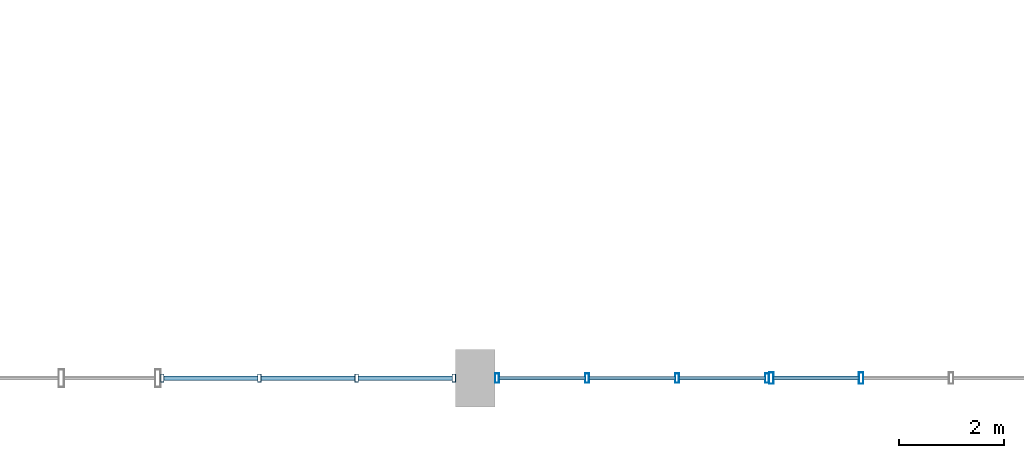
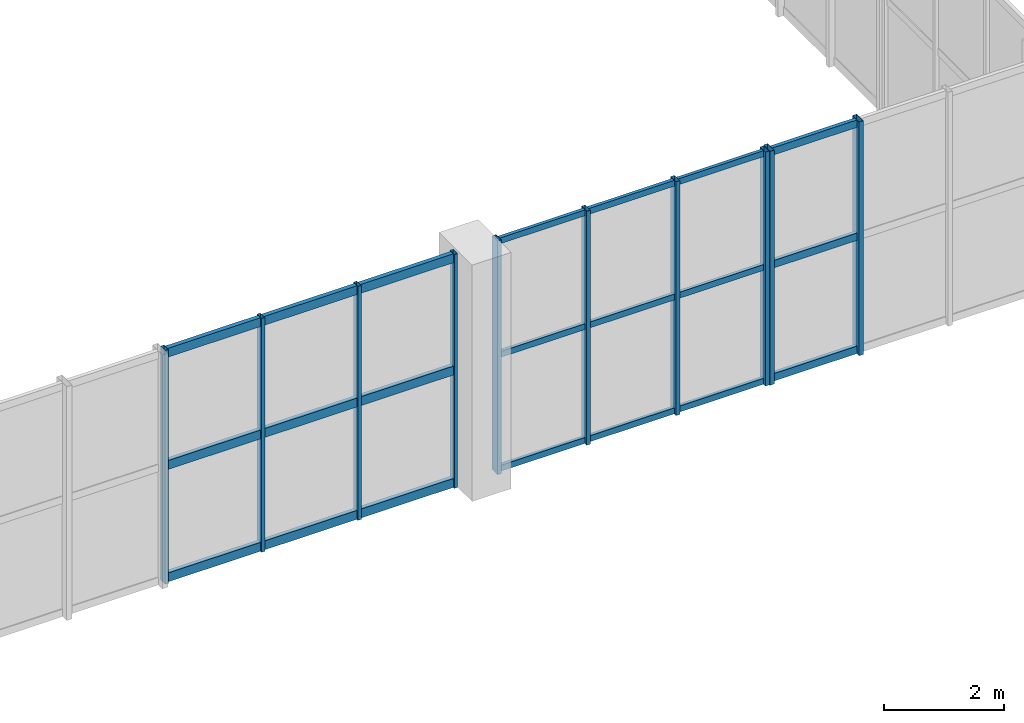
# One storey, part 52 of 106: 31 members, 3 elements without a shape of their own.
"""IFC4 building model written with IfcOpenShell, lengths in metres."""

from ifc_helpers import new_model, si_unit, direction, frame, origin, origin_2d, place, context, subcontext, project, spatial, hollow_rectangle, extrude, material, layer, layer_set, material_profile, profile_set, type_object, element, aggregate, save


model = new_model("IFC4")

# Units and contexts
model_context = context("Model", 3, precision=1e-05, world=origin(), true_north=direction((0.0, 1.0)))
body_context = subcontext(model_context, "Body", "Model", "MODEL_VIEW")
ifc_project = project(units=[si_unit("LENGTHUNIT", "METRE"), si_unit("AREAUNIT", "SQUARE_METRE"), si_unit("VOLUMEUNIT", "CUBIC_METRE"), si_unit("PLANEANGLEUNIT", "RADIAN"), si_unit("MASSUNIT", "GRAM", prefix="KILO"), si_unit("POWERUNIT", "WATT"), si_unit("THERMODYNAMICTEMPERATUREUNIT", "KELVIN")], contexts=[model_context])

# Site, building, storey
site_placement = place(None, origin())
site = spatial("IfcSite", under=ifc_project, at=site_placement, CompositionType="ELEMENT")
building_placement = place(site_placement, origin())
building = spatial("IfcBuilding", under=site, at=building_placement, Name="Kelmbourne Parkland Aquatics Centre", CompositionType="ELEMENT")
storey_placement = place(building_placement, frame((0.0, 0.0, 5.39990234375)))
storey = spatial("IfcBuildingStorey", under=building, at=storey_placement, Name="L01", CompositionType="ELEMENT", Elevation=5.39990234375)

# Curtain wall, members
ifc_material = material(Name="Thermally broken anodised aluminium framing", Category="aluminium")
ifc_layer_1 = layer(ifc_material, 0.179931640625)
ifc_layer_set_1 = layer_set([ifc_layer_1], Name="Thermally broken anodised aluminium framing")
curtain_wall_type_1 = type_object("IfcCurtainWallType", Name="CW-14", PredefinedType="NOTDEFINED", material=ifc_layer_set_1)
curtain_wall_1_placement = place(storey_placement, origin())
curtain_wall_1 = element("IfcCurtainWall", 1, at=curtain_wall_1_placement, inside=storey, type_object=curtain_wall_type_1, Name="Wave-hall clerestory curtain wall CW-L01-110", PredefinedType="NOTDEFINED")
ifc_material_profile_1 = material_profile(ifc_material, hollow_rectangle(XDim=0.06494140625, YDim=0.14990234375, WallThickness=0.00390625, at=origin_2d()), Name="CW-M 65x150")
ifc_profile_set_1 = profile_set([ifc_material_profile_1], Name="Thermally broken anodised aluminium framing")
member_type_1 = type_object("IfcMemberType", Name="MB-MUL-1", PredefinedType="MULLION", material=ifc_profile_set_1)
member_1_placement = place(storey_placement, frame((158.032470703125, 0.800048828125, 0.0), z_axis=(0.0, 0.0, 1.0), x_axis=(1.0, 0.0, 0.0)))
member_1 = element("IfcMember", 2, at=member_1_placement, type_object=member_type_1, Name="CW-L01-110 mullion 0", PredefinedType="MULLION", context=body_context, shape_type="SweptSolid", body=[
    extrude(hollow_rectangle(XDim=0.06494140625, YDim=0.14990234375, WallThickness=0.00390625, at=origin_2d()), origin(), (0.0, 0.0, 1.0), 4.75),
])
member_2_placement = place(storey_placement, frame((159.88525390625, 0.800048828125, 0.0), z_axis=(0.0, 0.0, 1.0), x_axis=(1.0, 0.0, 0.0)))
member_2 = element("IfcMember", 3, at=member_2_placement, type_object=member_type_1, Name="CW-L01-110 mullion 1", PredefinedType="MULLION", context=body_context, shape_type="SweptSolid", body=[
    extrude(hollow_rectangle(XDim=0.06494140625, YDim=0.14990234375, WallThickness=0.00390625, at=origin_2d()), origin(), (0.0, 0.0, 1.0), 4.75),
])
member_3_placement = place(storey_placement, frame((161.73779296875, 0.800048828125, 0.0), z_axis=(0.0, 0.0, 1.0), x_axis=(1.0, 0.0, 0.0)))
member_3 = element("IfcMember", 4, at=member_3_placement, type_object=member_type_1, Name="CW-L01-110 mullion 2", PredefinedType="MULLION", context=body_context, shape_type="SweptSolid", body=[
    extrude(hollow_rectangle(XDim=0.06494140625, YDim=0.14990234375, WallThickness=0.00390625, at=origin_2d()), origin(), (0.0, 0.0, 1.0), 4.75),
])
member_4_placement = place(storey_placement, frame((163.590576171875, 0.800048828125, 0.0), z_axis=(0.0, 0.0, 1.0), x_axis=(1.0, 0.0, 0.0)))
member_4 = element("IfcMember", 5, at=member_4_placement, type_object=member_type_1, Name="CW-L01-110 mullion 3", PredefinedType="MULLION", context=body_context, shape_type="SweptSolid", body=[
    extrude(hollow_rectangle(XDim=0.06494140625, YDim=0.14990234375, WallThickness=0.00390625, at=origin_2d()), origin(), (0.0, 0.0, 1.0), 4.75),
])

ifc_layer_2 = layer(ifc_material, 0.179931640625)
ifc_layer_set_2 = layer_set([ifc_layer_2], Name="Thermally broken anodised aluminium framing")
curtain_wall_type_2 = type_object("IfcCurtainWallType", Name="CW-15", PredefinedType="NOTDEFINED", material=ifc_layer_set_2)
curtain_wall_2_placement = place(storey_placement, origin())
curtain_wall_2 = element("IfcCurtainWall", 6, at=curtain_wall_2_placement, inside=storey, type_object=curtain_wall_type_2, Name="Wave-hall clerestory curtain wall CW-L01-111", PredefinedType="NOTDEFINED")
ifc_material_profile_2 = material_profile(ifc_material, hollow_rectangle(XDim=0.074951171875, YDim=0.179931640625, WallThickness=0.00439453125, at=origin_2d()), Name="CW-M 75x180")
ifc_profile_set_2 = profile_set([ifc_material_profile_2], Name="Thermally broken anodised aluminium framing")
member_type_2 = type_object("IfcMemberType", Name="MB-MUL-2", PredefinedType="MULLION", material=ifc_profile_set_2)
member_5_placement = place(storey_placement, frame((164.41455078125, 0.800048828125, 0.0), z_axis=(0.0, 0.0, 1.0), x_axis=(1.0, 0.0, 0.0)))
member_5 = element("IfcMember", 7, at=member_5_placement, type_object=member_type_2, Name="CW-L01-111 mullion 0", PredefinedType="MULLION", context=body_context, shape_type="SweptSolid", body=[
    extrude(hollow_rectangle(XDim=0.074951171875, YDim=0.179931640625, WallThickness=0.00439453125, at=origin_2d()), origin(), (0.0, 0.0, 1.0), 4.75),
])
member_6_placement = place(storey_placement, frame((166.130615234375, 0.800048828125, 0.0), z_axis=(0.0, 0.0, 1.0), x_axis=(1.0, 0.0, 0.0)))
member_6 = element("IfcMember", 8, at=member_6_placement, type_object=member_type_2, Name="CW-L01-111 mullion 1", PredefinedType="MULLION", context=body_context, shape_type="SweptSolid", body=[
    extrude(hollow_rectangle(XDim=0.074951171875, YDim=0.179931640625, WallThickness=0.00439453125, at=origin_2d()), origin(), (0.0, 0.0, 1.0), 4.75),
])
member_7_placement = place(storey_placement, frame((167.846435546875, 0.800048828125, 0.0), z_axis=(0.0, 0.0, 1.0), x_axis=(1.0, 0.0, 0.0)))
member_7 = element("IfcMember", 9, at=member_7_placement, type_object=member_type_2, Name="CW-L01-111 mullion 2", PredefinedType="MULLION", context=body_context, shape_type="SweptSolid", body=[
    extrude(hollow_rectangle(XDim=0.074951171875, YDim=0.179931640625, WallThickness=0.00439453125, at=origin_2d()), origin(), (0.0, 0.0, 1.0), 4.75),
])
member_8_placement = place(storey_placement, frame((169.5625, 0.800048828125, 0.0), z_axis=(0.0, 0.0, 1.0), x_axis=(1.0, 0.0, 0.0)))
member_8 = element("IfcMember", 10, at=member_8_placement, type_object=member_type_2, Name="CW-L01-111 mullion 3", PredefinedType="MULLION", context=body_context, shape_type="SweptSolid", body=[
    extrude(hollow_rectangle(XDim=0.074951171875, YDim=0.179931640625, WallThickness=0.00439453125, at=origin_2d()), origin(), (0.0, 0.0, 1.0), 4.75),
])

ifc_layer_3 = layer(ifc_material, 0.179931640625)
ifc_layer_set_3 = layer_set([ifc_layer_3], Name="Thermally broken anodised aluminium framing")
curtain_wall_type_3 = type_object("IfcCurtainWallType", Name="CW-16", PredefinedType="NOTDEFINED", material=ifc_layer_set_3)
curtain_wall_3_placement = place(storey_placement, origin())
curtain_wall_3 = element("IfcCurtainWall", 11, at=curtain_wall_3_placement, inside=storey, type_object=curtain_wall_type_3, Name="Wave-hall clerestory curtain wall CW-L01-112", PredefinedType="NOTDEFINED")
ifc_material_profile_3 = material_profile(ifc_material, hollow_rectangle(XDim=0.0849609375, YDim=0.219970703125, WallThickness=0.0048828125, at=origin_2d()), Name="CW-M 85x220")
ifc_profile_set_3 = profile_set([ifc_material_profile_3], Name="Thermally broken anodised aluminium framing")
member_type_3 = type_object("IfcMemberType", Name="MB-MUL-3", PredefinedType="MULLION", material=ifc_profile_set_3)
member_9_placement = place(storey_placement, frame((169.642578125, 0.800048828125, 0.0), z_axis=(0.0, 0.0, 1.0), x_axis=(1.0, 0.0, 0.0)))
member_9 = element("IfcMember", 12, at=member_9_placement, type_object=member_type_3, Name="CW-L01-112 mullion 0", PredefinedType="MULLION", context=body_context, shape_type="SweptSolid", body=[
    extrude(hollow_rectangle(XDim=0.0849609375, YDim=0.219970703125, WallThickness=0.0048828125, at=origin_2d()), origin(), (0.0, 0.0, 1.0), 4.75),
])
member_10_placement = place(storey_placement, frame((171.355224609375, 0.800048828125, 0.0), z_axis=(0.0, 0.0, 1.0), x_axis=(1.0, 0.0, 0.0)))
member_10 = element("IfcMember", 13, at=member_10_placement, type_object=member_type_3, Name="CW-L01-112 mullion 1", PredefinedType="MULLION", context=body_context, shape_type="SweptSolid", body=[
    extrude(hollow_rectangle(XDim=0.0849609375, YDim=0.219970703125, WallThickness=0.0048828125, at=origin_2d()), origin(), (0.0, 0.0, 1.0), 4.75),
])

# Member
ifc_material_profile_4 = material_profile(ifc_material, hollow_rectangle(XDim=0.06494140625, YDim=0.1201171875, WallThickness=0.00341796875, at=origin_2d()), Name="CW-T 65x120")
ifc_profile_set_4 = profile_set([ifc_material_profile_4], Name="Thermally broken anodised aluminium framing")
member_type_4 = type_object("IfcMemberType", Name="MB-TRN-1", PredefinedType="USERDEFINED", material=ifc_profile_set_4)
member_11_placement = place(storey_placement, frame((164.447998046875, 0.800048828125, 0.06298828125), z_axis=(1.0, 0.0, 0.0), x_axis=(0.0, 1.0, 0.0)))
member_11 = element("IfcMember", 14, at=member_11_placement, type_object=member_type_4, Name="CW-L01-111 transom 0-0", ObjectType="TRANSOM", PredefinedType="USERDEFINED", context=body_context, shape_type="SweptSolid", body=[
    extrude(hollow_rectangle(XDim=0.06494140625, YDim=0.1201171875, WallThickness=0.00341796875, at=origin_2d()), origin(), (0.0, 0.0, 1.0), 1.64892578125),
])

member_12_placement = place(storey_placement, frame((166.1640625, 0.800048828125, 0.06298828125), z_axis=(1.0, 0.0, 0.0), x_axis=(0.0, 1.0, 0.0)))
member_12 = element("IfcMember", 15, at=member_12_placement, type_object=member_type_4, Name="CW-L01-111 transom 0-1", ObjectType="TRANSOM", PredefinedType="USERDEFINED", context=body_context, shape_type="SweptSolid", body=[
    extrude(hollow_rectangle(XDim=0.06494140625, YDim=0.1201171875, WallThickness=0.00341796875, at=origin_2d()), origin(), (0.0, 0.0, 1.0), 1.64892578125),
])

member_13_placement = place(storey_placement, frame((167.8798828125, 0.800048828125, 0.06298828125), z_axis=(1.0, 0.0, 0.0), x_axis=(0.0, 1.0, 0.0)))
member_13 = element("IfcMember", 16, at=member_13_placement, type_object=member_type_4, Name="CW-L01-111 transom 0-2", ObjectType="TRANSOM", PredefinedType="USERDEFINED", context=body_context, shape_type="SweptSolid", body=[
    extrude(hollow_rectangle(XDim=0.06494140625, YDim=0.1201171875, WallThickness=0.00341796875, at=origin_2d()), origin(), (0.0, 0.0, 1.0), 1.649169921875),
])

member_14_placement = place(storey_placement, frame((164.447998046875, 0.800048828125, 2.375), z_axis=(1.0, 0.0, 0.0), x_axis=(0.0, 1.0, 0.0)))
member_14 = element("IfcMember", 17, at=member_14_placement, type_object=member_type_4, Name="CW-L01-111 transom 1-0", ObjectType="TRANSOM", PredefinedType="USERDEFINED", context=body_context, shape_type="SweptSolid", body=[
    extrude(hollow_rectangle(XDim=0.06494140625, YDim=0.1201171875, WallThickness=0.00341796875, at=origin_2d()), origin(), (0.0, 0.0, 1.0), 1.64892578125),
])

member_15_placement = place(storey_placement, frame((166.1640625, 0.800048828125, 2.375), z_axis=(1.0, 0.0, 0.0), x_axis=(0.0, 1.0, 0.0)))
member_15 = element("IfcMember", 18, at=member_15_placement, type_object=member_type_4, Name="CW-L01-111 transom 1-1", ObjectType="TRANSOM", PredefinedType="USERDEFINED", context=body_context, shape_type="SweptSolid", body=[
    extrude(hollow_rectangle(XDim=0.06494140625, YDim=0.1201171875, WallThickness=0.00341796875, at=origin_2d()), origin(), (0.0, 0.0, 1.0), 1.64892578125),
])

member_16_placement = place(storey_placement, frame((167.8798828125, 0.800048828125, 2.375), z_axis=(1.0, 0.0, 0.0), x_axis=(0.0, 1.0, 0.0)))
member_16 = element("IfcMember", 19, at=member_16_placement, type_object=member_type_4, Name="CW-L01-111 transom 1-2", ObjectType="TRANSOM", PredefinedType="USERDEFINED", context=body_context, shape_type="SweptSolid", body=[
    extrude(hollow_rectangle(XDim=0.06494140625, YDim=0.1201171875, WallThickness=0.00341796875, at=origin_2d()), origin(), (0.0, 0.0, 1.0), 1.649169921875),
])

member_17_placement = place(storey_placement, frame((164.447998046875, 0.800048828125, 4.68701171875), z_axis=(1.0, 0.0, 0.0), x_axis=(0.0, 1.0, 0.0)))
member_17 = element("IfcMember", 20, at=member_17_placement, type_object=member_type_4, Name="CW-L01-111 transom 2-0", ObjectType="TRANSOM", PredefinedType="USERDEFINED", context=body_context, shape_type="SweptSolid", body=[
    extrude(hollow_rectangle(XDim=0.06494140625, YDim=0.1201171875, WallThickness=0.00341796875, at=origin_2d()), origin(), (0.0, 0.0, 1.0), 1.64892578125),
])

member_18_placement = place(storey_placement, frame((166.1640625, 0.800048828125, 4.68701171875), z_axis=(1.0, 0.0, 0.0), x_axis=(0.0, 1.0, 0.0)))
member_18 = element("IfcMember", 21, at=member_18_placement, type_object=member_type_4, Name="CW-L01-111 transom 2-1", ObjectType="TRANSOM", PredefinedType="USERDEFINED", context=body_context, shape_type="SweptSolid", body=[
    extrude(hollow_rectangle(XDim=0.06494140625, YDim=0.1201171875, WallThickness=0.00341796875, at=origin_2d()), origin(), (0.0, 0.0, 1.0), 1.64892578125),
])

member_19_placement = place(storey_placement, frame((167.8798828125, 0.800048828125, 4.68701171875), z_axis=(1.0, 0.0, 0.0), x_axis=(0.0, 1.0, 0.0)))
member_19 = element("IfcMember", 22, at=member_19_placement, type_object=member_type_4, Name="CW-L01-111 transom 2-2", ObjectType="TRANSOM", PredefinedType="USERDEFINED", context=body_context, shape_type="SweptSolid", body=[
    extrude(hollow_rectangle(XDim=0.06494140625, YDim=0.1201171875, WallThickness=0.00341796875, at=origin_2d()), origin(), (0.0, 0.0, 1.0), 1.649169921875),
])

aggregate(curtain_wall_2, [member_5, member_6, member_7, member_8, member_11, member_12, member_13, member_14, member_15, member_16, member_17, member_18, member_19])

ifc_material_profile_5 = material_profile(ifc_material, hollow_rectangle(XDim=0.074951171875, YDim=0.14990234375, WallThickness=0.00390625, at=origin_2d()), Name="CW-T 75x150")
ifc_profile_set_5 = profile_set([ifc_material_profile_5], Name="Thermally broken anodised aluminium framing")
member_type_5 = type_object("IfcMemberType", Name="MB-TRN-2", PredefinedType="USERDEFINED", material=ifc_profile_set_5)
member_20_placement = place(storey_placement, frame((169.680908203125, 0.800048828125, 0.078125), z_axis=(1.0, 0.0, 0.0), x_axis=(0.0, 1.0, 0.0)))
member_20 = element("IfcMember", 23, at=member_20_placement, type_object=member_type_5, Name="CW-L01-112 transom 0-0", ObjectType="TRANSOM", PredefinedType="USERDEFINED", context=body_context, shape_type="SweptSolid", body=[
    extrude(hollow_rectangle(XDim=0.074951171875, YDim=0.14990234375, WallThickness=0.00390625, at=origin_2d()), origin(), (0.0, 0.0, 1.0), 1.6357421875),
])

member_21_placement = place(storey_placement, frame((169.680908203125, 0.800048828125, 2.375), z_axis=(1.0, 0.0, 0.0), x_axis=(0.0, 1.0, 0.0)))
member_21 = element("IfcMember", 24, at=member_21_placement, type_object=member_type_5, Name="CW-L01-112 transom 1-0", ObjectType="TRANSOM", PredefinedType="USERDEFINED", context=body_context, shape_type="SweptSolid", body=[
    extrude(hollow_rectangle(XDim=0.074951171875, YDim=0.14990234375, WallThickness=0.00390625, at=origin_2d()), origin(), (0.0, 0.0, 1.0), 1.6357421875),
])

member_22_placement = place(storey_placement, frame((169.680908203125, 0.800048828125, 4.672119140625), z_axis=(1.0, 0.0, 0.0), x_axis=(0.0, 1.0, 0.0)))
member_22 = element("IfcMember", 25, at=member_22_placement, type_object=member_type_5, Name="CW-L01-112 transom 2-0", ObjectType="TRANSOM", PredefinedType="USERDEFINED", context=body_context, shape_type="SweptSolid", body=[
    extrude(hollow_rectangle(XDim=0.074951171875, YDim=0.14990234375, WallThickness=0.00390625, at=origin_2d()), origin(), (0.0, 0.0, 1.0), 1.6357421875),
])

aggregate(curtain_wall_3, [member_9, member_10, member_20, member_21, member_22])

ifc_material_profile_6 = material_profile(ifc_material, hollow_rectangle(XDim=0.0849609375, YDim=0.179931640625, WallThickness=0.00439453125, at=origin_2d()), Name="CW-T 85x180")
ifc_profile_set_6 = profile_set([ifc_material_profile_6], Name="Thermally broken anodised aluminium framing")
member_type_6 = type_object("IfcMemberType", Name="MB-TRN-3", PredefinedType="USERDEFINED", material=ifc_profile_set_6)
member_23_placement = place(storey_placement, frame((158.06103515625, 0.800048828125, 0.093017578125), z_axis=(1.0, 0.0, 0.0), x_axis=(0.0, 1.0, 0.0)))
member_23 = element("IfcMember", 26, at=member_23_placement, type_object=member_type_6, Name="CW-L01-110 transom 0-0", ObjectType="TRANSOM", PredefinedType="USERDEFINED", context=body_context, shape_type="SweptSolid", body=[
    extrude(hollow_rectangle(XDim=0.0849609375, YDim=0.179931640625, WallThickness=0.00439453125, at=origin_2d()), origin(), (0.0, 0.0, 1.0), 1.795654296875),
])

member_24_placement = place(storey_placement, frame((159.913818359375, 0.800048828125, 0.093017578125), z_axis=(1.0, 0.0, 0.0), x_axis=(0.0, 1.0, 0.0)))
member_24 = element("IfcMember", 27, at=member_24_placement, type_object=member_type_6, Name="CW-L01-110 transom 0-1", ObjectType="TRANSOM", PredefinedType="USERDEFINED", context=body_context, shape_type="SweptSolid", body=[
    extrude(hollow_rectangle(XDim=0.0849609375, YDim=0.179931640625, WallThickness=0.00439453125, at=origin_2d()), origin(), (0.0, 0.0, 1.0), 1.79541015625),
])

member_25_placement = place(storey_placement, frame((161.766357421875, 0.800048828125, 0.093017578125), z_axis=(1.0, 0.0, 0.0), x_axis=(0.0, 1.0, 0.0)))
member_25 = element("IfcMember", 28, at=member_25_placement, type_object=member_type_6, Name="CW-L01-110 transom 0-2", ObjectType="TRANSOM", PredefinedType="USERDEFINED", context=body_context, shape_type="SweptSolid", body=[
    extrude(hollow_rectangle(XDim=0.0849609375, YDim=0.179931640625, WallThickness=0.00439453125, at=origin_2d()), origin(), (0.0, 0.0, 1.0), 1.795654296875),
])

member_26_placement = place(storey_placement, frame((158.06103515625, 0.800048828125, 2.375), z_axis=(1.0, 0.0, 0.0), x_axis=(0.0, 1.0, 0.0)))
member_26 = element("IfcMember", 29, at=member_26_placement, type_object=member_type_6, Name="CW-L01-110 transom 1-0", ObjectType="TRANSOM", PredefinedType="USERDEFINED", context=body_context, shape_type="SweptSolid", body=[
    extrude(hollow_rectangle(XDim=0.0849609375, YDim=0.179931640625, WallThickness=0.00439453125, at=origin_2d()), origin(), (0.0, 0.0, 1.0), 1.795654296875),
])

member_27_placement = place(storey_placement, frame((159.913818359375, 0.800048828125, 2.375), z_axis=(1.0, 0.0, 0.0), x_axis=(0.0, 1.0, 0.0)))
member_27 = element("IfcMember", 30, at=member_27_placement, type_object=member_type_6, Name="CW-L01-110 transom 1-1", ObjectType="TRANSOM", PredefinedType="USERDEFINED", context=body_context, shape_type="SweptSolid", body=[
    extrude(hollow_rectangle(XDim=0.0849609375, YDim=0.179931640625, WallThickness=0.00439453125, at=origin_2d()), origin(), (0.0, 0.0, 1.0), 1.79541015625),
])

member_28_placement = place(storey_placement, frame((161.766357421875, 0.800048828125, 2.375), z_axis=(1.0, 0.0, 0.0), x_axis=(0.0, 1.0, 0.0)))
member_28 = element("IfcMember", 31, at=member_28_placement, type_object=member_type_6, Name="CW-L01-110 transom 1-2", ObjectType="TRANSOM", PredefinedType="USERDEFINED", context=body_context, shape_type="SweptSolid", body=[
    extrude(hollow_rectangle(XDim=0.0849609375, YDim=0.179931640625, WallThickness=0.00439453125, at=origin_2d()), origin(), (0.0, 0.0, 1.0), 1.795654296875),
])

member_29_placement = place(storey_placement, frame((158.06103515625, 0.800048828125, 4.656982421875), z_axis=(1.0, 0.0, 0.0), x_axis=(0.0, 1.0, 0.0)))
member_29 = element("IfcMember", 32, at=member_29_placement, type_object=member_type_6, Name="CW-L01-110 transom 2-0", ObjectType="TRANSOM", PredefinedType="USERDEFINED", context=body_context, shape_type="SweptSolid", body=[
    extrude(hollow_rectangle(XDim=0.0849609375, YDim=0.179931640625, WallThickness=0.00439453125, at=origin_2d()), origin(), (0.0, 0.0, 1.0), 1.795654296875),
])

member_30_placement = place(storey_placement, frame((159.913818359375, 0.800048828125, 4.656982421875), z_axis=(1.0, 0.0, 0.0), x_axis=(0.0, 1.0, 0.0)))
member_30 = element("IfcMember", 33, at=member_30_placement, type_object=member_type_6, Name="CW-L01-110 transom 2-1", ObjectType="TRANSOM", PredefinedType="USERDEFINED", context=body_context, shape_type="SweptSolid", body=[
    extrude(hollow_rectangle(XDim=0.0849609375, YDim=0.179931640625, WallThickness=0.00439453125, at=origin_2d()), origin(), (0.0, 0.0, 1.0), 1.79541015625),
])

member_31_placement = place(storey_placement, frame((161.766357421875, 0.800048828125, 4.656982421875), z_axis=(1.0, 0.0, 0.0), x_axis=(0.0, 1.0, 0.0)))
member_31 = element("IfcMember", 34, at=member_31_placement, type_object=member_type_6, Name="CW-L01-110 transom 2-2", ObjectType="TRANSOM", PredefinedType="USERDEFINED", context=body_context, shape_type="SweptSolid", body=[
    extrude(hollow_rectangle(XDim=0.0849609375, YDim=0.179931640625, WallThickness=0.00439453125, at=origin_2d()), origin(), (0.0, 0.0, 1.0), 1.795654296875),
])

aggregate(curtain_wall_1, [member_1, member_2, member_3, member_4, member_23, member_24, member_25, member_26, member_27, member_28, member_29, member_30, member_31])

save(model, "model.ifc")
